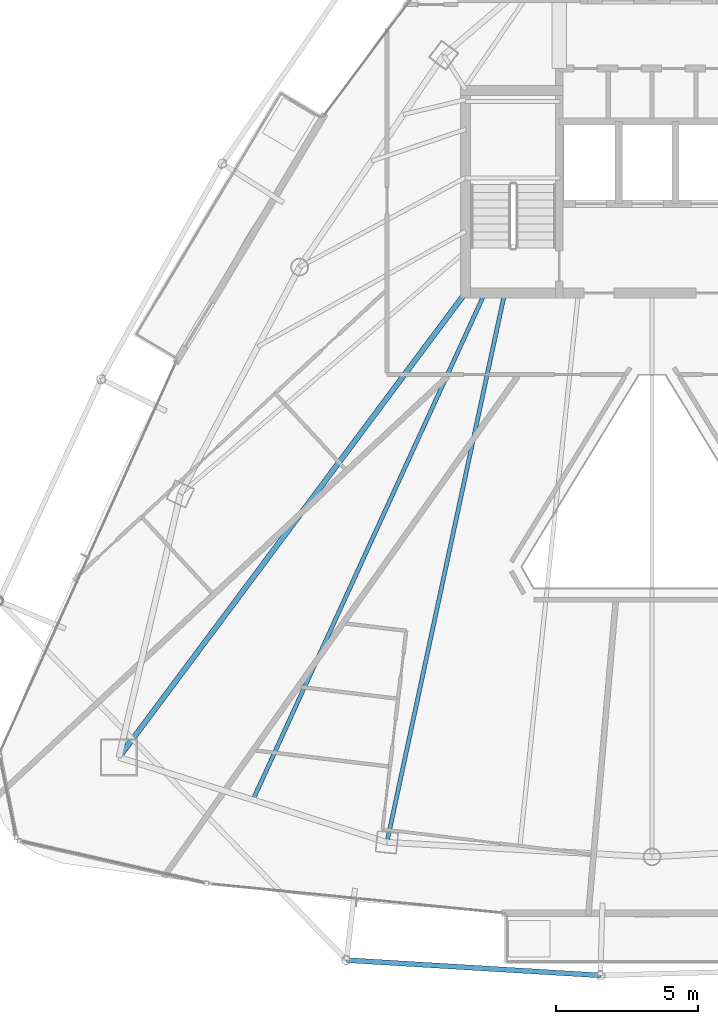
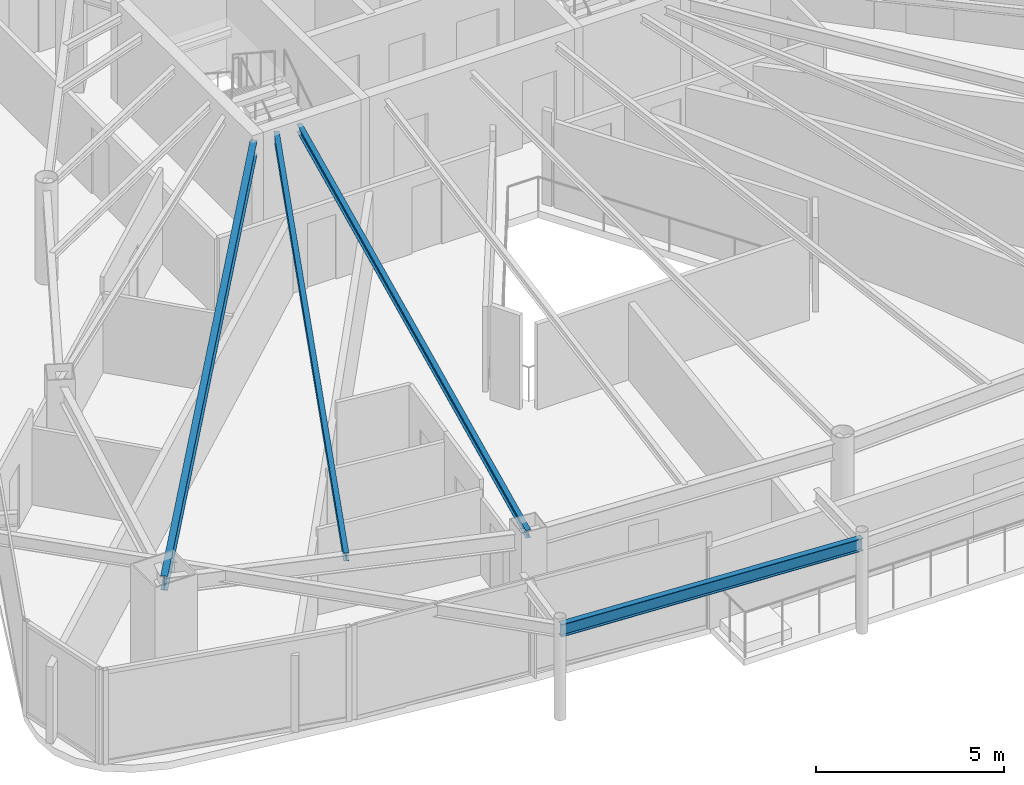
# One storey, part 6 of 32: 4 beams.
"""IFC4 building model written with IfcOpenShell, lengths in metres."""

from ifc_helpers import new_model, si_unit, direction, frame, origin, origin_2d, place, context, subcontext, project, spatial, i_section, extrude, material, material_profile, profile_set, type_object, element, save


model = new_model("IFC4")

# Units and contexts
model_context = context("Model", 3, precision=1e-05, world=origin(), true_north=direction((0.0, 1.0)))
body_context = subcontext(model_context, "Body", "Model", "MODEL_VIEW")
ifc_project = project(units=[si_unit("LENGTHUNIT", "METRE"), si_unit("AREAUNIT", "SQUARE_METRE"), si_unit("VOLUMEUNIT", "CUBIC_METRE"), si_unit("PLANEANGLEUNIT", "RADIAN"), si_unit("MASSUNIT", "GRAM", prefix="KILO")], contexts=[model_context])

# Site, building, storey
site_placement = place(None, origin())
site = spatial("IfcSite", under=ifc_project, at=site_placement, CompositionType="ELEMENT")
building_placement = place(site_placement, origin())
building = spatial("IfcBuilding", under=site, at=building_placement, Name="Orvanel Arch Residences", CompositionType="ELEMENT")
storey_placement = place(building_placement, frame((0.0, 0.0, 216.199951171875)))
storey = spatial("IfcBuildingStorey", under=building, at=storey_placement, Name="L61", CompositionType="ELEMENT", Elevation=216.199951171875)

# Beams
ifc_material = material(Name="Structural steel AS/NZS 3679.1 Grade 300 (300 MPa)", Category="steel")
ifc_material_profile_1 = material_profile(ifc_material, i_section(OverallWidth=0.19091796875, OverallDepth=0.4599609375, WebThickness=0.010009765625, FlangeThickness=0.01611328125, at=origin_2d()), Name="460UB82.1")
ifc_profile_set_1 = profile_set([ifc_material_profile_1], Name="Structural steel AS/NZS 3679.1 Grade 300 (300 MPa)")
beam_type_1 = type_object("IfcBeamType", Name="BG-460UB", PredefinedType="BEAM", material=ifc_profile_set_1)
beam_1_placement = place(storey_placement, frame((26.375, 26.675048828125, 2.830078125), z_axis=(-0.597893733742, -0.801575375839, 0.0), x_axis=(0.801575375839, -0.597893733742, 0.0)))
element("IfcBeam", 1, at=beam_1_placement, inside=storey, type_object=beam_type_1, Name="L61 South-West Radial Girder", PredefinedType="BEAM", context=body_context, shape_type="SweptSolid", body=[
    extrude(i_section(OverallWidth=0.19091796875, OverallDepth=0.4599609375, WebThickness=0.010009765625, FlangeThickness=0.01611328125, at=origin_2d()), origin(), (0.0, 0.0, 1.0), 20.36474609375),
])
ifc_material_profile_2 = material_profile(ifc_material, i_section(OverallWidth=0.14599609375, OverallDepth=0.251953125, WebThickness=0.006103515625, FlangeThickness=0.008544921875, at=origin_2d()), Name="250UB31.4")
ifc_profile_set_2 = profile_set([ifc_material_profile_2], Name="Structural steel AS/NZS 3679.1 Grade 300 (300 MPa)")
beam_type_2 = type_object("IfcBeamType", Name="BJ-250UB", PredefinedType="JOIST", material=ifc_profile_set_2)
beam_2_placement = place(storey_placement, frame((27.800048828125, 26.72509765625, 2.93408203125), z_axis=(-0.209547604985, -0.977798446125, 0.0), x_axis=(0.977798446125, -0.209547604985, 0.0)))
element("IfcBeam", 2, at=beam_2_placement, inside=storey, type_object=beam_type_2, Name="L61 SW Wing Floor Joist", PredefinedType="JOIST", context=body_context, shape_type="SweptSolid", body=[
    extrude(i_section(OverallWidth=0.14599609375, OverallDepth=0.251953125, WebThickness=0.006103515625, FlangeThickness=0.008544921875, at=origin_2d()), origin(), (0.0, 0.0, 1.0), 19.809814453125),
])
beam_3_placement = place(storey_placement, frame((27.10009765625, 26.72509765625, 2.93408203125), z_axis=(-0.416009574066, -0.909360233508, 0.0), x_axis=(0.909360233508, -0.416009574066, 0.0)))
element("IfcBeam", 3, at=beam_3_placement, inside=storey, type_object=beam_type_2, Name="L61 JADD1 Wing Floor Joist", PredefinedType="JOIST", context=body_context, shape_type="SweptSolid", body=[
    extrude(i_section(OverallWidth=0.14599609375, OverallDepth=0.251953125, WebThickness=0.006103515625, FlangeThickness=0.008544921875, at=origin_2d()), origin(), (0.0, 0.0, 1.0), 19.653564453125),
])
ifc_material_profile_3 = material_profile(ifc_material, i_section(OverallWidth=0.177978515625, OverallDepth=0.406005859375, WebThickness=0.0078125, FlangeThickness=0.0126953125, at=origin_2d()), Name="410UB59.7")
ifc_profile_set_3 = profile_set([ifc_material_profile_3], Name="Structural steel AS/NZS 3679.1 Grade 300 (300 MPa)")
beam_type_3 = type_object("IfcBeamType", Name="OB-410UB-EXT", PredefinedType="SPANDREL", material=ifc_profile_set_3)
beam_4_placement = place(storey_placement, frame((22.22412109375, 3.201904296875, 2.85693359375), z_axis=(0.998200775187, -0.059960090191, 0.0), x_axis=(0.059960090191, 0.998200775187, 0.0)))
element("IfcBeam", 4, at=beam_4_placement, inside=storey, type_object=beam_type_3, Name="L61 Outer Perimeter Floor Ring Beam 05", PredefinedType="SPANDREL", context=body_context, shape_type="SweptSolid", body=[
    extrude(i_section(OverallWidth=0.177978515625, OverallDepth=0.406005859375, WebThickness=0.0078125, FlangeThickness=0.0126953125, at=origin_2d()), origin(), (0.0, 0.0, 1.0), 8.969970703125),
])

save(model, "model.ifc")
